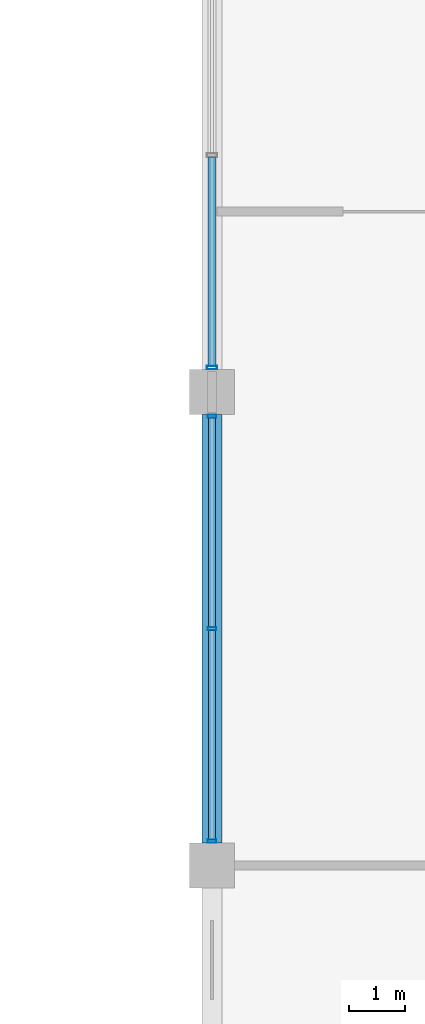
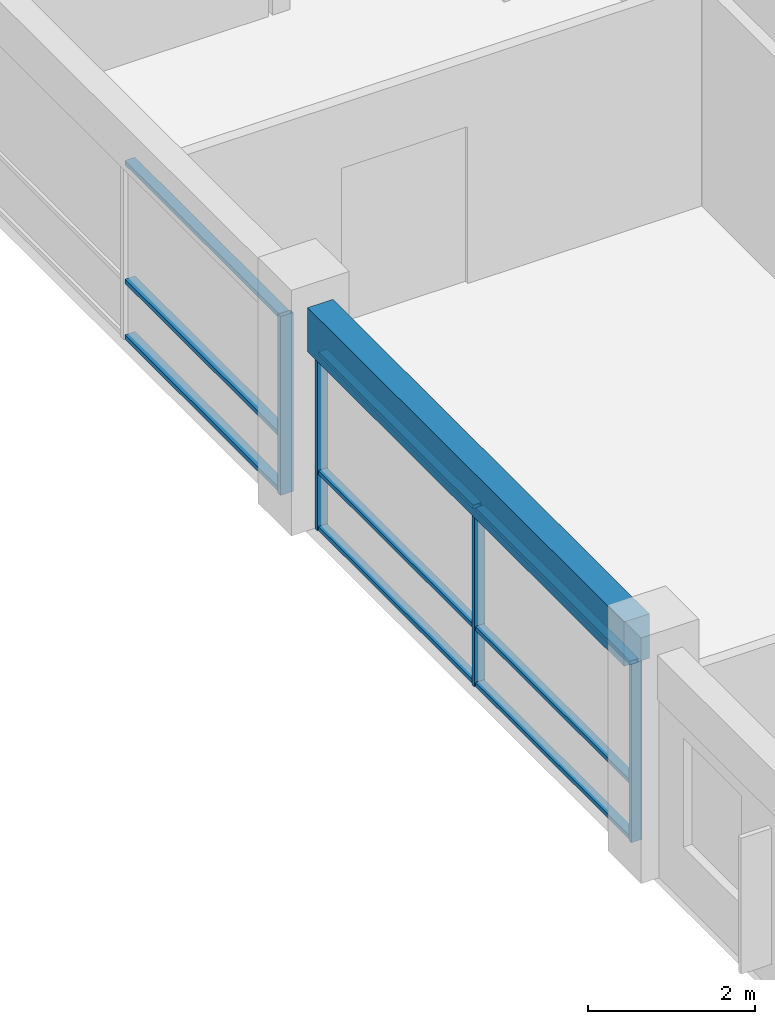
# One storey, part 20 of 50: 13 members, 1 beam, 2 elements without a shape of their own.
"""IFC4 building model written with IfcOpenShell, lengths in metres."""

from ifc_helpers import new_model, si_unit, direction, frame, origin, origin_2d, place, context, subcontext, project, spatial, rectangle, hollow_rectangle, extrude, material, material_profile, profile_set, type_object, element, aggregate, save


model = new_model("IFC4")

# Units and contexts
model_context = context("Model", 3, precision=1e-05, world=origin(), true_north=direction((0.0, 1.0)))
body_context = subcontext(model_context, "Body", "Model", "MODEL_VIEW")
ifc_project = project(units=[si_unit("LENGTHUNIT", "METRE"), si_unit("AREAUNIT", "SQUARE_METRE"), si_unit("VOLUMEUNIT", "CUBIC_METRE"), si_unit("PLANEANGLEUNIT", "RADIAN"), si_unit("MASSUNIT", "GRAM", prefix="KILO"), si_unit("THERMODYNAMICTEMPERATUREUNIT", "KELVIN"), si_unit("POWERUNIT", "WATT")], contexts=[model_context])

# Site, building, storey
site_placement = place(None, origin())
site = spatial("IfcSite", under=ifc_project, at=site_placement, CompositionType="ELEMENT")
building_placement = place(site_placement, origin())
building = spatial("IfcBuilding", under=site, at=building_placement, Name="Srebrne Nadtorze General Hospital", CompositionType="ELEMENT")
storey_placement = place(building_placement, frame((0.0, 0.0, 14.39990234375)))
storey = spatial("IfcBuildingStorey", under=building, at=storey_placement, Name="L03", CompositionType="ELEMENT", Elevation=14.39990234375)

# Curtain wall, members
ifc_material_1 = material(Name="Anodised Aluminium", Category="aluminium")
curtain_wall_type = type_object("IfcCurtainWallType", Name="Unitised curtain wall 7600x2620", PredefinedType="NOTDEFINED", material=ifc_material_1)
curtain_wall_1_placement = place(storey_placement, origin())
curtain_wall_1 = element("IfcCurtainWall", 1, at=curtain_wall_1_placement, inside=storey, type_object=curtain_wall_type, Name="Curtain wall CW-096", PredefinedType="NOTDEFINED")
ifc_material_2 = material(Name="Anodised Aluminium", Category="aluminium")
ifc_material_profile_1 = material_profile(ifc_material_2, hollow_rectangle(XDim=0.06005859375, YDim=0.14990234375, WallThickness=0.00390625, at=origin_2d()), Name="AL-MUL-60x150")
ifc_profile_set_1 = profile_set([ifc_material_profile_1], Name="Anodised Aluminium")
member_type_1 = type_object("IfcMemberType", Name="Curtain mullion 60x150", PredefinedType="MULLION", material=ifc_profile_set_1)
member_1_placement = place(storey_placement, frame((101.39990234375, 34.030029296875, 0.0), z_axis=(0.0, 0.0, 1.0), x_axis=(0.0, 1.0, 0.0)))
member_1 = element("IfcMember", 2, at=member_1_placement, type_object=member_type_1, Name="CW-096 mullion 1", PredefinedType="MULLION", context=body_context, shape_type="SweptSolid", body=[
    extrude(hollow_rectangle(XDim=0.06005859375, YDim=0.14990234375, WallThickness=0.00390625, at=origin_2d()), origin(), (0.0, 0.0, 1.0), 2.6201171875),
])
member_2_placement = place(storey_placement, frame((101.39990234375, 37.800048828125, 0.0), z_axis=(0.0, 0.0, 1.0), x_axis=(0.0, 1.0, 0.0)))
member_2 = element("IfcMember", 3, at=member_2_placement, type_object=member_type_1, Name="CW-096 mullion 2", PredefinedType="MULLION", context=body_context, shape_type="SweptSolid", body=[
    extrude(hollow_rectangle(XDim=0.06005859375, YDim=0.14990234375, WallThickness=0.00390625, at=origin_2d()), origin(), (0.0, 0.0, 1.0), 2.6201171875),
])
member_3_placement = place(storey_placement, frame((101.39990234375, 41.570068359375, 0.0), z_axis=(0.0, 0.0, 1.0), x_axis=(0.0, 1.0, 0.0)))
member_3 = element("IfcMember", 4, at=member_3_placement, type_object=member_type_1, Name="CW-096 mullion 3", PredefinedType="MULLION", context=body_context, shape_type="SweptSolid", body=[
    extrude(hollow_rectangle(XDim=0.06005859375, YDim=0.14990234375, WallThickness=0.00390625, at=origin_2d()), origin(), (0.0, 0.0, 1.0), 2.6201171875),
])

# Curtain wall, member
curtain_wall_2_placement = place(storey_placement, origin())
curtain_wall_2 = element("IfcCurtainWall", 5, at=curtain_wall_2_placement, inside=storey, type_object=curtain_wall_type, Name="Curtain wall CW-097", PredefinedType="NOTDEFINED")
ifc_material_3 = material(Name="Anodised Aluminium", Category="aluminium")
ifc_material_profile_2 = material_profile(ifc_material_3, hollow_rectangle(XDim=0.06494140625, YDim=0.179931640625, WallThickness=0.00390625, at=origin_2d()), Name="AL-MUL-65x180")
ifc_profile_set_2 = profile_set([ifc_material_profile_2], Name="Anodised Aluminium")
member_type_2 = type_object("IfcMemberType", Name="Curtain mullion 65x180", PredefinedType="MULLION", material=ifc_profile_set_2)
member_4_placement = place(storey_placement, frame((101.39990234375, 42.4326171875, 0.0), z_axis=(0.0, 0.0, 1.0), x_axis=(0.0, 1.0, 0.0)))
member_4 = element("IfcMember", 6, at=member_4_placement, type_object=member_type_2, Name="CW-097 mullion 1", PredefinedType="MULLION", context=body_context, shape_type="SweptSolid", body=[
    extrude(hollow_rectangle(XDim=0.06494140625, YDim=0.179931640625, WallThickness=0.00390625, at=origin_2d()), origin(), (0.0, 0.0, 1.0), 2.6201171875),
])

# Member
ifc_material_4 = material(Name="Anodised Aluminium", Category="aluminium")
ifc_material_profile_3 = material_profile(ifc_material_4, hollow_rectangle(XDim=0.06005859375, YDim=0.1201171875, WallThickness=0.00390625, at=origin_2d()), Name="AL-TRN-60x120")
ifc_profile_set_3 = profile_set([ifc_material_profile_3], Name="Anodised Aluminium")
member_type_3 = type_object("IfcMemberType", Name="Curtain transom 60x120", PredefinedType="USERDEFINED", material=ifc_profile_set_3)
member_5_placement = place(storey_placement, frame((101.39990234375, 34.06005859375, 0.030029296875), z_axis=(0.0, 1.0, 0.0), x_axis=(0.0, 0.0, 1.0)))
member_5 = element("IfcMember", 7, at=member_5_placement, type_object=member_type_3, Name="CW-096 transom 1.1", ObjectType="TRANSOM", PredefinedType="USERDEFINED", context=body_context, shape_type="SweptSolid", body=[
    extrude(hollow_rectangle(XDim=0.06005859375, YDim=0.1201171875, WallThickness=0.00390625, at=origin_2d()), origin(), (0.0, 0.0, 1.0), 3.7099609375),
])

member_6_placement = place(storey_placement, frame((101.39990234375, 34.06005859375, 0.85009765625), z_axis=(0.0, 1.0, 0.0), x_axis=(0.0, 0.0, 1.0)))
member_6 = element("IfcMember", 8, at=member_6_placement, type_object=member_type_3, Name="CW-096 transom 1.2", ObjectType="TRANSOM", PredefinedType="USERDEFINED", context=body_context, shape_type="SweptSolid", body=[
    extrude(hollow_rectangle(XDim=0.06005859375, YDim=0.1201171875, WallThickness=0.00390625, at=origin_2d()), origin(), (0.0, 0.0, 1.0), 3.7099609375),
])

member_7_placement = place(storey_placement, frame((101.39990234375, 34.06005859375, 2.590087890625), z_axis=(0.0, 1.0, 0.0), x_axis=(0.0, 0.0, 1.0)))
member_7 = element("IfcMember", 9, at=member_7_placement, type_object=member_type_3, Name="CW-096 transom 1.3", ObjectType="TRANSOM", PredefinedType="USERDEFINED", context=body_context, shape_type="SweptSolid", body=[
    extrude(hollow_rectangle(XDim=0.06005859375, YDim=0.1201171875, WallThickness=0.00390625, at=origin_2d()), origin(), (0.0, 0.0, 1.0), 3.7099609375),
])

member_8_placement = place(storey_placement, frame((101.39990234375, 37.830078125, 0.030029296875), z_axis=(0.0, 1.0, 0.0), x_axis=(0.0, 0.0, 1.0)))
member_8 = element("IfcMember", 10, at=member_8_placement, type_object=member_type_3, Name="CW-096 transom 2.1", ObjectType="TRANSOM", PredefinedType="USERDEFINED", context=body_context, shape_type="SweptSolid", body=[
    extrude(hollow_rectangle(XDim=0.06005859375, YDim=0.1201171875, WallThickness=0.00390625, at=origin_2d()), origin(), (0.0, 0.0, 1.0), 3.7099609375),
])

member_9_placement = place(storey_placement, frame((101.39990234375, 37.830078125, 0.85009765625), z_axis=(0.0, 1.0, 0.0), x_axis=(0.0, 0.0, 1.0)))
member_9 = element("IfcMember", 11, at=member_9_placement, type_object=member_type_3, Name="CW-096 transom 2.2", ObjectType="TRANSOM", PredefinedType="USERDEFINED", context=body_context, shape_type="SweptSolid", body=[
    extrude(hollow_rectangle(XDim=0.06005859375, YDim=0.1201171875, WallThickness=0.00390625, at=origin_2d()), origin(), (0.0, 0.0, 1.0), 3.7099609375),
])

member_10_placement = place(storey_placement, frame((101.39990234375, 37.830078125, 2.590087890625), z_axis=(0.0, 1.0, 0.0), x_axis=(0.0, 0.0, 1.0)))
member_10 = element("IfcMember", 12, at=member_10_placement, type_object=member_type_3, Name="CW-096 transom 2.3", ObjectType="TRANSOM", PredefinedType="USERDEFINED", context=body_context, shape_type="SweptSolid", body=[
    extrude(hollow_rectangle(XDim=0.06005859375, YDim=0.1201171875, WallThickness=0.00390625, at=origin_2d()), origin(), (0.0, 0.0, 1.0), 3.7099609375),
])

aggregate(curtain_wall_1, [member_1, member_2, member_3, member_5, member_6, member_7, member_8, member_9, member_10])

ifc_material_5 = material(Name="Anodised Aluminium", Category="aluminium")
ifc_material_profile_4 = material_profile(ifc_material_5, hollow_rectangle(XDim=0.06494140625, YDim=0.139892578125, WallThickness=0.00390625, at=origin_2d()), Name="AL-TRN-65x140")
ifc_profile_set_4 = profile_set([ifc_material_profile_4], Name="Anodised Aluminium")
member_type_4 = type_object("IfcMemberType", Name="Curtain transom 65x140", PredefinedType="USERDEFINED", material=ifc_profile_set_4)
member_11_placement = place(storey_placement, frame((101.39990234375, 42.465087890625, 0.03271484375), z_axis=(0.0, 1.0, 0.0), x_axis=(0.0, 0.0, 1.0)))
member_11 = element("IfcMember", 13, at=member_11_placement, type_object=member_type_4, Name="CW-097 transom 1.1", ObjectType="TRANSOM", PredefinedType="USERDEFINED", context=body_context, shape_type="SweptSolid", body=[
    extrude(hollow_rectangle(XDim=0.06494140625, YDim=0.139892578125, WallThickness=0.00390625, at=origin_2d()), origin(), (0.0, 0.0, 1.0), 3.702392578125),
])

member_12_placement = place(storey_placement, frame((101.39990234375, 42.465087890625, 0.85009765625), z_axis=(0.0, 1.0, 0.0), x_axis=(0.0, 0.0, 1.0)))
member_12 = element("IfcMember", 14, at=member_12_placement, type_object=member_type_4, Name="CW-097 transom 1.2", ObjectType="TRANSOM", PredefinedType="USERDEFINED", context=body_context, shape_type="SweptSolid", body=[
    extrude(hollow_rectangle(XDim=0.06494140625, YDim=0.139892578125, WallThickness=0.00390625, at=origin_2d()), origin(), (0.0, 0.0, 1.0), 3.702392578125),
])

member_13_placement = place(storey_placement, frame((101.39990234375, 42.465087890625, 2.587646484375), z_axis=(0.0, 1.0, 0.0), x_axis=(0.0, 0.0, 1.0)))
member_13 = element("IfcMember", 15, at=member_13_placement, type_object=member_type_4, Name="CW-097 transom 1.3", ObjectType="TRANSOM", PredefinedType="USERDEFINED", context=body_context, shape_type="SweptSolid", body=[
    extrude(hollow_rectangle(XDim=0.06494140625, YDim=0.139892578125, WallThickness=0.00390625, at=origin_2d()), origin(), (0.0, 0.0, 1.0), 3.702392578125),
])

aggregate(curtain_wall_2, [member_4, member_11, member_12, member_13])

# Beam
ifc_material_6 = material(Name="Concrete C35/45", Category="concrete")
ifc_material_profile_5 = material_profile(ifc_material_6, rectangle(XDim=0.35009765625, YDim=0.64990234375, at=origin_2d()), Name="RC-BM-350x650")
ifc_profile_set_5 = profile_set([ifc_material_profile_5], Name="Concrete C35/45")
beam_type = type_object("IfcBeamType", Name="Edge beam RC 350x650", PredefinedType="BEAM", material=ifc_profile_set_5)
beam_placement = place(storey_placement, frame((101.39990234375, 34.0, 2.945068359375), z_axis=(0.0, 1.0, 0.0), x_axis=(-1.0, 0.0, 0.0)))
element("IfcBeam", 16, at=beam_placement, inside=storey, type_object=beam_type, Name="Beam BM-L03-Y-0824", PredefinedType="BEAM", context=body_context, shape_type="SweptSolid", body=[
    extrude(rectangle(XDim=0.35009765625, YDim=0.64990234375, at=origin_2d()), origin(), (0.0, 0.0, 1.0), 7.60009765625),
])

save(model, "model.ifc")
